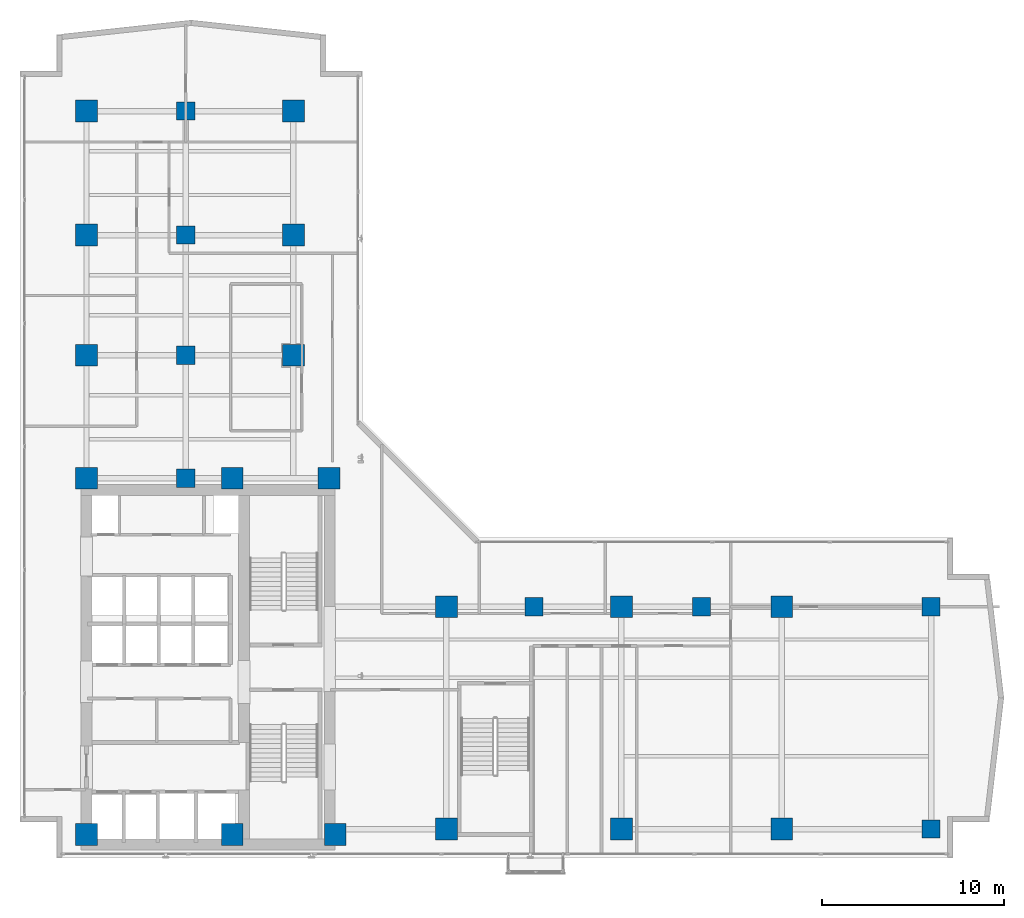
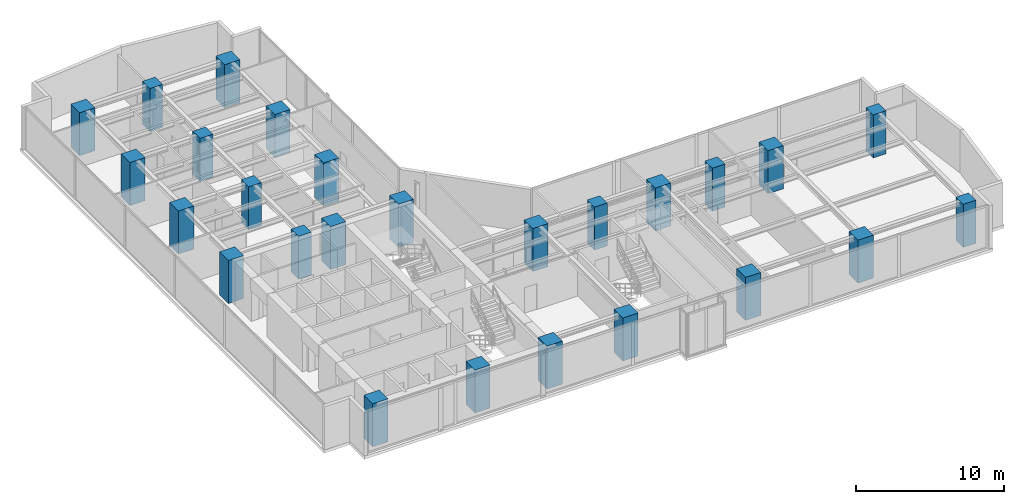
# One storey, part 1 of 23: 26 columns.
"""IFC4 building model written with IfcOpenShell, lengths in metres."""

from ifc_helpers import new_model, si_unit, direction, frame, origin, origin_2d, place, context, subcontext, project, spatial, rectangle, extrude, material, material_profile, profile_set, type_object, element, save


model = new_model("IFC4")

# Units and contexts
model_context = context("Model", 3, precision=1e-05, world=origin(), true_north=direction((0.0, 1.0)))
body_context = subcontext(model_context, "Body", "Model", "MODEL_VIEW")
ifc_project = project(units=[si_unit("LENGTHUNIT", "METRE"), si_unit("AREAUNIT", "SQUARE_METRE"), si_unit("VOLUMEUNIT", "CUBIC_METRE"), si_unit("PLANEANGLEUNIT", "RADIAN"), si_unit("MASSUNIT", "GRAM", prefix="KILO")], contexts=[model_context])

# Site, building, storey
site_placement = place(None, origin())
site = spatial("IfcSite", under=ifc_project, at=site_placement, CompositionType="ELEMENT")
building_placement = place(site_placement, origin())
building = spatial("IfcBuilding", under=site, at=building_placement, Name="Kolvaren Waterfront Exchange", CompositionType="ELEMENT")
storey_placement = place(building_placement, frame((0.0, 0.0, 188.0)))
storey = spatial("IfcBuildingStorey", under=building, at=storey_placement, Name="L48", CompositionType="ELEMENT", Elevation=188.0)

# Columns
ifc_material = material(Name="Concrete C60/75", Category="concrete")
ifc_material_profile_1 = material_profile(ifc_material, rectangle(XDim=1.0, YDim=1.0, at=origin_2d()), Name="RC-COL-1000x1000")
ifc_profile_set_1 = profile_set([ifc_material_profile_1], Name="Concrete C60/75")
column_type_1 = type_object("IfcColumnType", Name="STR-COL-1000-C60", PredefinedType="COLUMN", material=ifc_profile_set_1)
for number, where, z_axis, x_axis, name in (
    (1, (53.800048828125, 5.199951171875, 0.0), (0.0, 0.0, 1.0), (1.0, 0.0, 0.0), "L48 column ZC01"),
    (2, (53.800048828125, 17.39990234375, 0.0), (0.0, 0.0, 1.0), (1.0, 0.0, 0.0), "L48 column ZC02"),
    (3, (12.89990234375, 24.449951171875, 0.0), (0.0, 0.0, 1.0), (1.0, 0.0, 0.0), "L48 column TC01"),
    (4, (12.89990234375, 31.199951171875, 0.0), (0.0, 0.0, 1.0), (1.0, 0.0, 0.0), "L48 column TC02"),
    (5, (12.89990234375, 37.800048828125, 0.0), (0.0, 0.0, 1.0), (1.0, 0.0, 0.0), "L48 column TC03"),
    (6, (12.89990234375, 44.60009765625, 0.0), (0.0, 0.0, 1.0), (1.0, 0.0, 0.0), "L48 column TC04"),
    (7, (32.0, 17.39990234375, 0.0), (0.0, 0.0, 1.0), (1.0, 0.0, 0.0), "L48 column TC05"),
    (8, (41.199951171875, 17.39990234375, 0.0), (0.0, 0.0, 1.0), (1.0, 0.0, 0.0), "L48 column TC06"),
):
    element("IfcColumn", number, at=place(storey_placement, frame(where, z_axis=z_axis, x_axis=x_axis)), inside=storey, type_object=column_type_1, Name=name, PredefinedType="COLUMN", context=body_context, shape_type="SweptSolid", body=[
        extrude(rectangle(XDim=1.0, YDim=1.0, at=origin_2d()), origin(), (0.0, 0.0, 1.0), 3.56005859375),
    ])
ifc_material_profile_2 = material_profile(ifc_material, rectangle(XDim=1.199951171875, YDim=1.199951171875, at=origin_2d()), Name="RC-COL-1200x1200")
ifc_profile_set_2 = profile_set([ifc_material_profile_2], Name="Concrete C60/75")
column_type_2 = type_object("IfcColumnType", Name="STR-COL-1200-C60", PredefinedType="COLUMN", material=ifc_profile_set_2)
for number, where, z_axis, x_axis, name in (
    (9, (7.449951171875, 4.89990234375, 0.0), (0.0, 0.0, 1.0), (1.0, 0.0, 0.0), "L48 column MC01"),
    (10, (15.449951171875, 4.89990234375, 0.0), (0.0, 0.0, 1.0), (1.0, 0.0, 0.0), "L48 column MC02"),
    (11, (21.10009765625, 4.89990234375, 0.0), (0.0, 0.0, 1.0), (1.0, 0.0, 0.0), "L48 column MC03"),
    (12, (7.449951171875, 24.449951171875, 0.0), (0.0, 0.0, 1.0), (1.0, 0.0, 0.0), "L48 column MC04"),
    (13, (15.449951171875, 24.449951171875, 0.0), (0.0, 0.0, 1.0), (1.0, 0.0, 0.0), "L48 column MC05"),
    (14, (20.75, 24.449951171875, 0.0), (0.0, 0.0, 1.0), (1.0, 0.0, 0.0), "L48 column MC06"),
    (15, (7.449951171875, 31.199951171875, 0.0), (0.0, 0.0, 1.0), (1.0, 0.0, 0.0), "L48 column NC01"),
    (16, (7.449951171875, 37.800048828125, 0.0), (0.0, 0.0, 1.0), (1.0, 0.0, 0.0), "L48 column NC02"),
    (17, (7.449951171875, 44.60009765625, 0.0), (0.0, 0.0, 1.0), (1.0, 0.0, 0.0), "L48 column NC03"),
    (18, (18.800048828125, 31.199951171875, 0.0), (0.0, 0.0, 1.0), (1.0, 0.0, 0.0), "L48 column NC04"),
    (19, (18.800048828125, 37.800048828125, 0.0), (0.0, 0.0, 1.0), (1.0, 0.0, 0.0), "L48 column NC05"),
    (20, (18.800048828125, 44.60009765625, 0.0), (0.0, 0.0, 1.0), (1.0, 0.0, 0.0), "L48 column NC06"),
    (21, (27.199951171875, 5.199951171875, 0.0), (0.0, 0.0, 1.0), (1.0, 0.0, 0.0), "L48 column EC01"),
    (22, (36.800048828125, 5.199951171875, 0.0), (0.0, 0.0, 1.0), (1.0, 0.0, 0.0), "L48 column EC02"),
    (23, (45.60009765625, 5.199951171875, 0.0), (0.0, 0.0, 1.0), (1.0, 0.0, 0.0), "L48 column EC03"),
    (24, (27.199951171875, 17.39990234375, 0.0), (0.0, 0.0, 1.0), (1.0, 0.0, 0.0), "L48 column EC04"),
    (25, (36.800048828125, 17.39990234375, 0.0), (0.0, 0.0, 1.0), (1.0, 0.0, 0.0), "L48 column EC05"),
    (26, (45.60009765625, 17.39990234375, 0.0), (0.0, 0.0, 1.0), (1.0, 0.0, 0.0), "L48 column EC06"),
):
    element("IfcColumn", number, at=place(storey_placement, frame(where, z_axis=z_axis, x_axis=x_axis)), inside=storey, type_object=column_type_2, Name=name, PredefinedType="COLUMN", context=body_context, shape_type="SweptSolid", body=[
        extrude(rectangle(XDim=1.199951171875, YDim=1.199951171875, at=origin_2d()), origin(), (0.0, 0.0, 1.0), 3.56005859375),
    ])

save(model, "model.ifc")
